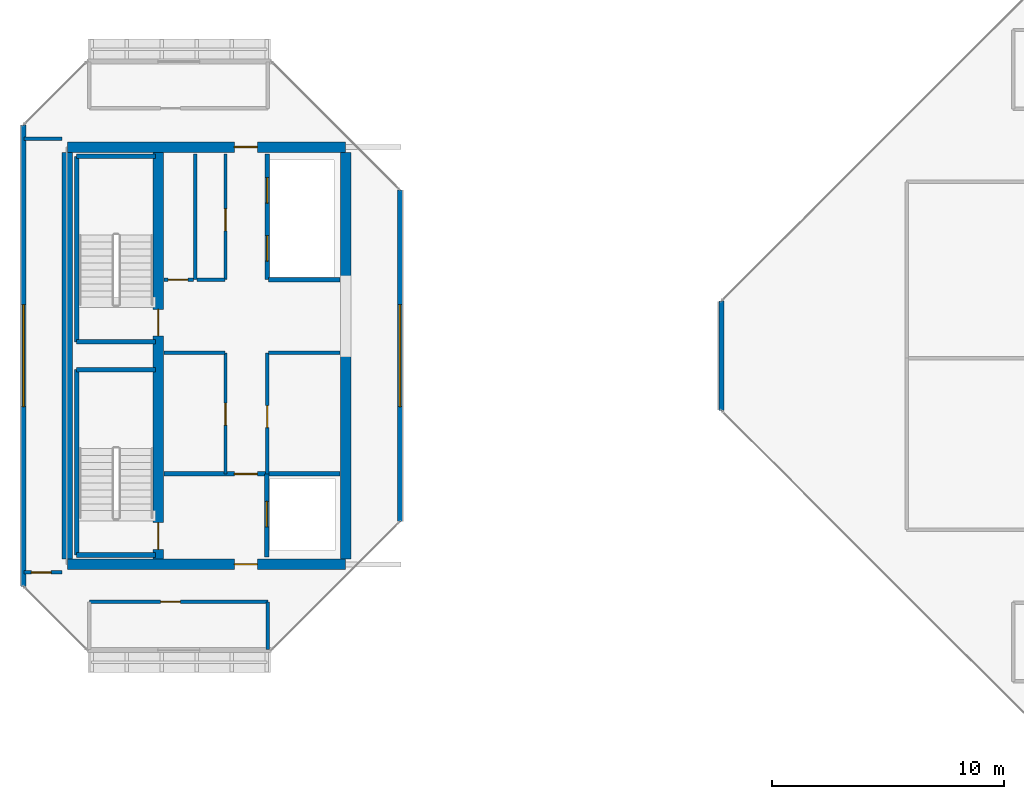
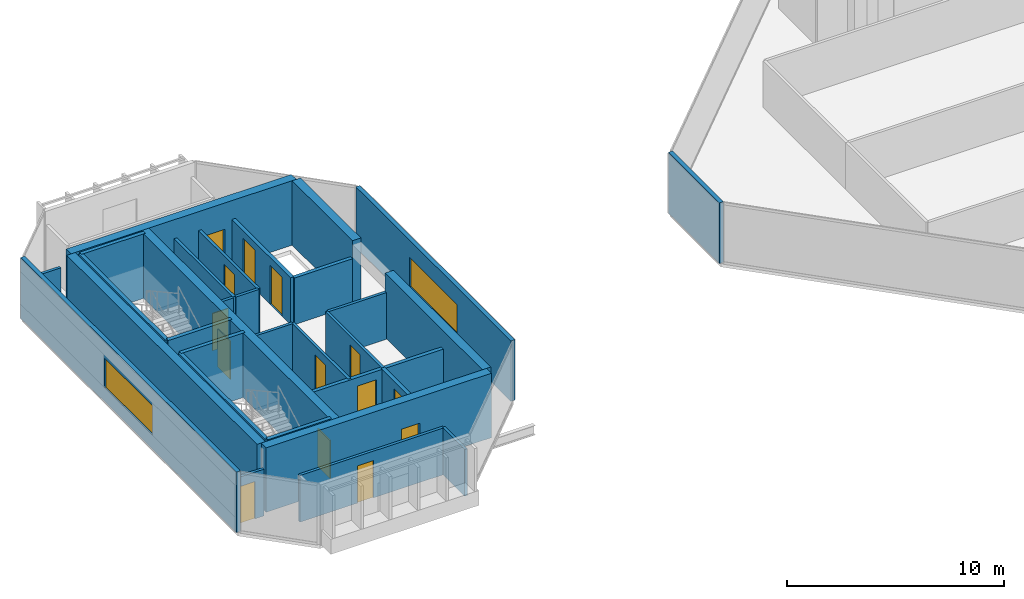
# One storey, part 21 of 28: 31 walls, 14 doors, 2 windows, 16 openings.
"""IFC4 building model written with IfcOpenShell, lengths in metres."""

from ifc_helpers import new_model, si_unit, direction, frame, frame_2d, origin, place, context, subcontext, project, spatial, rectangle, extrude, material, layer, layer_set, type_object, element, fill, save


model = new_model("IFC4")

# Units and contexts
model_context = context("Model", 3, precision=1e-05, world=origin(), true_north=direction((0.0, 1.0)))
body_context = subcontext(model_context, "Body", "Model", "MODEL_VIEW")
ifc_project = project(units=[si_unit("LENGTHUNIT", "METRE"), si_unit("AREAUNIT", "SQUARE_METRE"), si_unit("VOLUMEUNIT", "CUBIC_METRE"), si_unit("PLANEANGLEUNIT", "RADIAN"), si_unit("MASSUNIT", "GRAM", prefix="KILO")], contexts=[model_context])

# Site, building, storey
site_placement = place(None, origin())
site = spatial("IfcSite", under=ifc_project, at=site_placement, CompositionType="ELEMENT")
building_placement = place(site_placement, origin())
building = spatial("IfcBuilding", under=site, at=building_placement, Name="Tanjung Sevakor Pilgrim Tower", CompositionType="ELEMENT")
storey_placement = place(building_placement, frame((0.0, 0.0, 242.550048828125)))
storey = spatial("IfcBuildingStorey", under=building, at=storey_placement, Name="L68", CompositionType="ELEMENT", Elevation=242.550048828125)

# Wall, opening, door
ifc_material_1 = material(Name="Concrete C60/75", Category="concrete")
ifc_layer_1 = layer(ifc_material_1, 0.449951171875)
ifc_layer_set_1 = layer_set([ifc_layer_1], Name="WALL-CW-450")
wall_type_1 = type_object("IfcWallType", Name="WALL-CW-450", PredefinedType="SHEAR", material=ifc_layer_set_1)
wall_1_placement = place(storey_placement, frame((24.0, 24.60009765625, 0.0), z_axis=(0.0, 0.0, 1.0), x_axis=(1.0, 0.0, 0.0)))
wall_1 = element("IfcWall", 1, at=wall_1_placement, inside=storey, type_object=wall_type_1, Name="L68 W Core South Shear Wall", PredefinedType="SHEAR", context=body_context, shape_type="SweptSolid", body=[
    extrude(rectangle(XDim=12.0, YDim=0.449951171875, at=frame_2d((6.0, 0.0))), origin(), (0.0, 0.0, 1.0), 3.6298828125),
])
opening_1_placement = place(wall_1_placement, frame((7.199951171875, 0.0, 0.0)))
opening_1 = element("IfcOpeningElement", 2, at=opening_1_placement, cuts=wall_1, Name="Opening ID-FD1", PredefinedType="OPENING", context=body_context, shape_type="SweptSolid", body=[
    extrude(rectangle(XDim=1.0, YDim=2.14990234375, at=frame_2d((0.5, 1.074951171875))), frame((0.0, 0.23486328125, 0.0), z_axis=(0.0, -1.0, 0.0), x_axis=(1.0, 0.0, 0.0)), (0.0, 0.0, 1.0), 0.469970703125),
])
ifc_material_2 = material(Name="Fire-Rated Steel S355J2", Category="steel")
door_type_1 = type_object("IfcDoorType", Name="DT-FIRE-1000", OperationType="NOTDEFINED", PredefinedType="DOOR", material=ifc_material_2)
door_1_placement = place(opening_1_placement, origin())
door_1 = element("IfcDoor", 3, at=door_1_placement, inside=storey, type_object=door_type_1, Name="L68 West Core South Vestibule Fire Door", OperationType="SINGLE_SWING_LEFT", OverallHeight=2.14990234375, OverallWidth=1.0, PredefinedType="DOOR", context=body_context, shape_type="SweptSolid", body=[
    extrude(rectangle(XDim=1.0, YDim=2.14990234375, at=frame_2d((0.5, 1.074951171875))), frame((0.0, 0.02490234375, 0.0), z_axis=(0.0, -1.0, 0.0), x_axis=(1.0, 0.0, 0.0)), (0.0, 0.0, 1.0), 0.050048828125),
])
fill(opening_1, door_1)

wall_2_placement = place(storey_placement, frame((36.0, 42.60009765625, 0.0), z_axis=(0.0, 0.0, 1.0), x_axis=(-1.0, 0.0, 0.0)))
wall_2 = element("IfcWall", 4, at=wall_2_placement, inside=storey, type_object=wall_type_1, Name="L68 W Core North Shear Wall", PredefinedType="SHEAR", context=body_context, shape_type="SweptSolid", body=[
    extrude(rectangle(XDim=12.0, YDim=0.449951171875, at=frame_2d((6.0, 0.0))), origin(), (0.0, 0.0, 1.0), 3.6298828125),
])
opening_2_placement = place(wall_2_placement, frame((3.800048828125, 0.0, 0.0)))
opening_2 = element("IfcOpeningElement", 5, at=opening_2_placement, cuts=wall_2, Name="Opening ID-FD1", PredefinedType="OPENING", context=body_context, shape_type="SweptSolid", body=[
    extrude(rectangle(XDim=1.0, YDim=2.14990234375, at=frame_2d((0.5, 1.074951171875))), frame((0.0, 0.23486328125, 0.0), z_axis=(0.0, -1.0, 0.0), x_axis=(1.0, 0.0, 0.0)), (0.0, 0.0, 1.0), 0.469970703125),
])
door_2_placement = place(opening_2_placement, origin())
door_2 = element("IfcDoor", 6, at=door_2_placement, inside=storey, type_object=door_type_1, Name="L68 West Core North Vestibule Fire Door", OperationType="SINGLE_SWING_RIGHT", OverallHeight=2.14990234375, OverallWidth=1.0, PredefinedType="DOOR", context=body_context, shape_type="SweptSolid", body=[
    extrude(rectangle(XDim=1.0, YDim=2.14990234375, at=frame_2d((0.5, 1.074951171875))), frame((0.0, 0.02490234375, 0.0), z_axis=(0.0, -1.0, 0.0), x_axis=(1.0, 0.0, 0.0)), (0.0, 0.0, 1.0), 0.050048828125),
])
fill(opening_2, door_2)

# Walls
wall_3_placement = place(storey_placement, frame((24.0, 24.824951171875, 0.0), z_axis=(0.0, 0.0, 1.0), x_axis=(0.0, 1.0, 0.0)))
element("IfcWall", 7, at=wall_3_placement, inside=storey, type_object=wall_type_1, Name="L68 W Core Outer Shear Wall", PredefinedType="SHEAR", context=body_context, shape_type="SweptSolid", body=[
    extrude(rectangle(XDim=17.550048828125, YDim=0.449951171875, at=frame_2d((8.77490234375, 0.0))), origin(), (0.0, 0.0, 1.0), 3.6298828125),
])
wall_4_placement = place(storey_placement, frame((36.0, 24.824951171875, 0.0), z_axis=(0.0, 0.0, 1.0), x_axis=(0.0, 1.0, 0.0)))
element("IfcWall", 8, at=wall_4_placement, inside=storey, type_object=wall_type_1, Name="L68 W Core Inner Shear Wall South", PredefinedType="SHEAR", context=body_context, shape_type="SweptSolid", body=[
    extrude(rectangle(XDim=8.97509765625, YDim=0.449951171875, at=frame_2d((4.487548828125, 0.0))), origin(), (0.0, 0.0, 1.0), 3.6298828125),
])
wall_5_placement = place(storey_placement, frame((36.0, 36.800048828125, 0.0), z_axis=(0.0, 0.0, 1.0), x_axis=(0.0, 1.0, 0.0)))
element("IfcWall", 9, at=wall_5_placement, inside=storey, type_object=wall_type_1, Name="L68 W Core Inner Shear Wall North", PredefinedType="SHEAR", context=body_context, shape_type="SweptSolid", body=[
    extrude(rectangle(XDim=5.574951171875, YDim=0.449951171875, at=frame_2d((2.78759765625, 0.0))), origin(), (0.0, 0.0, 1.0), 3.6298828125),
])

# Wall, openings, doors
wall_6_placement = place(storey_placement, frame((27.925048828125, 24.824951171875, 0.0), z_axis=(0.0, 0.0, 1.0), x_axis=(0.0, 1.0, 0.0)))
wall_6 = element("IfcWall", 10, at=wall_6_placement, inside=storey, type_object=wall_type_1, Name="L68 W Core Stair Spine Wall", PredefinedType="SHEAR", context=body_context, shape_type="SweptSolid", body=[
    extrude(rectangle(XDim=17.550048828125, YDim=0.449951171875, at=frame_2d((8.77490234375, 0.0))), origin(), (0.0, 0.0, 1.0), 3.6298828125),
])
opening_3_placement = place(wall_6_placement, frame((0.425048828125, 0.0, 0.0)))
opening_3 = element("IfcOpeningElement", 11, at=opening_3_placement, cuts=wall_6, Name="Opening ID-ST1", PredefinedType="OPENING", context=body_context, shape_type="SweptSolid", body=[
    extrude(rectangle(XDim=1.14990234375, YDim=2.14990234375, at=frame_2d((0.574951171875, 1.074951171875))), frame((0.0, 0.23486328125, 0.0), z_axis=(0.0, -1.0, 0.0), x_axis=(1.0, 0.0, 0.0)), (0.0, 0.0, 1.0), 0.469970703125),
])
opening_4_placement = place(wall_6_placement, frame((9.625, 0.0, 0.0)))
opening_4 = element("IfcOpeningElement", 12, at=opening_4_placement, cuts=wall_6, Name="Opening ID-ST1", PredefinedType="OPENING", context=body_context, shape_type="SweptSolid", body=[
    extrude(rectangle(XDim=1.14990234375, YDim=2.14990234375, at=frame_2d((0.574951171875, 1.074951171875))), frame((0.0, 0.23486328125, 0.0), z_axis=(0.0, -1.0, 0.0), x_axis=(1.0, 0.0, 0.0)), (0.0, 0.0, 1.0), 0.469970703125),
])
ifc_material_3 = material(Name="Fire-Rated Steel S355J2", Category="steel")
door_type_2 = type_object("IfcDoorType", Name="DT-FIRE-1150", OperationType="NOTDEFINED", PredefinedType="DOOR", material=ifc_material_3)
door_3_placement = place(opening_3_placement, origin())
door_3 = element("IfcDoor", 13, at=door_3_placement, inside=storey, type_object=door_type_2, Name="L68 TS-W1 Stair Fire Door", OperationType="SINGLE_SWING_LEFT", OverallHeight=2.14990234375, OverallWidth=1.14990234375, PredefinedType="DOOR", context=body_context, shape_type="SweptSolid", body=[
    extrude(rectangle(XDim=1.14990234375, YDim=2.14990234375, at=frame_2d((0.574951171875, 1.074951171875))), frame((0.0, 0.02490234375, 0.0), z_axis=(0.0, -1.0, 0.0), x_axis=(1.0, 0.0, 0.0)), (0.0, 0.0, 1.0), 0.050048828125),
])
fill(opening_3, door_3)
door_4_placement = place(opening_4_placement, origin())
door_4 = element("IfcDoor", 14, at=door_4_placement, inside=storey, type_object=door_type_2, Name="L68 TS-W2 Stair Fire Door", OperationType="SINGLE_SWING_RIGHT", OverallHeight=2.14990234375, OverallWidth=1.14990234375, PredefinedType="DOOR", context=body_context, shape_type="SweptSolid", body=[
    extrude(rectangle(XDim=1.14990234375, YDim=2.14990234375, at=frame_2d((0.574951171875, 1.074951171875))), frame((0.0, 0.02490234375, 0.0), z_axis=(0.0, -1.0, 0.0), x_axis=(1.0, 0.0, 0.0)), (0.0, 0.0, 1.0), 0.050048828125),
])
fill(opening_4, door_4)

# Wall
ifc_material_4 = material(Name="Concrete C40/50", Category="concrete")
ifc_layer_2 = layer(ifc_material_4, 0.14990234375)
ifc_layer_set_2 = layer_set([ifc_layer_2], Name="WT-COMP-150")
wall_type_2 = type_object("IfcWallType", Name="WT-COMP-150", PredefinedType="SOLIDWALL", material=ifc_layer_set_2)
wall_7_placement = place(storey_placement, frame((28.169921875, 33.719970703125, 0.0), z_axis=(0.0, 0.0, 1.0), x_axis=(1.0, 0.0, 0.0)))
element("IfcWall", 15, at=wall_7_placement, inside=storey, type_object=wall_type_2, Name="L68 Partition IW-L68-003", PredefinedType="SOLIDWALL", context=body_context, shape_type="SweptSolid", body=[
    extrude(rectangle(XDim=2.630126953125, YDim=0.14990234375, at=frame_2d((1.31494140625, 0.0))), origin(), (0.0, 0.0, 1.0), 2.6298828125),
])

# Wall, opening, door
wall_8_placement = place(storey_placement, frame((30.820068359375, 28.5, 0.0), z_axis=(0.0, 0.0, 1.0), x_axis=(0.0, 1.0, 0.0)))
wall_8 = element("IfcWall", 16, at=wall_8_placement, inside=storey, type_object=wall_type_2, Name="L68 Partition IW-L68-004", PredefinedType="SOLIDWALL", context=body_context, shape_type="SweptSolid", body=[
    extrude(rectangle(XDim=5.219970703125, YDim=0.14990234375, at=frame_2d((2.60986328125, 0.0))), origin(), (0.0, 0.0, 1.0), 2.6298828125),
])
opening_5_placement = place(wall_8_placement, frame((2.10009765625, 0.0, 0.0)))
opening_5 = element("IfcOpeningElement", 17, at=opening_5_placement, cuts=wall_8, Name="Opening ID-FD2", PredefinedType="OPENING", context=body_context, shape_type="SweptSolid", body=[
    extrude(rectangle(XDim=0.949951171875, YDim=2.14990234375, at=frame_2d((0.47509765625, 1.074951171875))), frame((0.0, 0.0849609375, 0.0), z_axis=(0.0, -1.0, 0.0), x_axis=(1.0, 0.0, 0.0)), (0.0, 0.0, 1.0), 0.169921875),
])
ifc_material_5 = material(Name="Fire-Rated Timber", Category="wood")
door_type_3 = type_object("IfcDoorType", Name="DT-FIRE-950", OperationType="NOTDEFINED", PredefinedType="DOOR", material=ifc_material_5)
door_5_placement = place(opening_5_placement, origin())
door_5 = element("IfcDoor", 18, at=door_5_placement, inside=storey, type_object=door_type_3, Name="L68 Housekeeping Pantry Door", OperationType="SINGLE_SWING_RIGHT", OverallHeight=2.14990234375, OverallWidth=0.949951171875, PredefinedType="DOOR", context=body_context, shape_type="SweptSolid", body=[
    extrude(rectangle(XDim=0.949951171875, YDim=2.14990234375, at=frame_2d((0.47509765625, 1.074951171875))), frame((0.0, 0.02490234375, 0.0), z_axis=(0.0, -1.0, 0.0), x_axis=(1.0, 0.0, 0.0)), (0.0, 0.0, 1.0), 0.050048828125),
])
fill(opening_5, door_5)

# Wall
wall_9_placement = place(storey_placement, frame((32.679931640625, 33.719970703125, 0.0), z_axis=(0.0, 0.0, 1.0), x_axis=(1.0, 0.0, 0.0)))
element("IfcWall", 19, at=wall_9_placement, inside=storey, type_object=wall_type_2, Name="L68 Partition IW-L68-005", PredefinedType="SOLIDWALL", context=body_context, shape_type="SweptSolid", body=[
    extrude(rectangle(XDim=3.074951171875, YDim=0.14990234375, at=frame_2d((1.53759765625, 0.0))), origin(), (0.0, 0.0, 1.0), 2.6298828125),
])

# Wall, opening, door
wall_10_placement = place(storey_placement, frame((32.6201171875, 28.5, 0.0), z_axis=(0.0, 0.0, 1.0), x_axis=(0.0, 1.0, 0.0)))
wall_10 = element("IfcWall", 20, at=wall_10_placement, inside=storey, type_object=wall_type_2, Name="L68 Partition IW-L68-006", PredefinedType="SOLIDWALL", context=body_context, shape_type="SweptSolid", body=[
    extrude(rectangle(XDim=5.219970703125, YDim=0.14990234375, at=frame_2d((2.60986328125, 0.0))), origin(), (0.0, 0.0, 1.0), 2.6298828125),
])
opening_6_placement = place(wall_10_placement, frame((2.0, 0.0, 0.0)))
opening_6 = element("IfcOpeningElement", 21, at=opening_6_placement, cuts=wall_10, Name="Opening ID-FD2", PredefinedType="OPENING", context=body_context, shape_type="SweptSolid", body=[
    extrude(rectangle(XDim=0.949951171875, YDim=2.14990234375, at=frame_2d((0.47509765625, 1.074951171875))), frame((0.0, 0.0849609375, 0.0), z_axis=(0.0, -1.0, 0.0), x_axis=(1.0, 0.0, 0.0)), (0.0, 0.0, 1.0), 0.169921875),
])
door_6_placement = place(opening_6_placement, origin())
door_6 = element("IfcDoor", 22, at=door_6_placement, inside=storey, type_object=door_type_3, Name="L68 Accessible WC Door", OperationType="SINGLE_SWING_LEFT", OverallHeight=2.14990234375, OverallWidth=0.949951171875, PredefinedType="DOOR", context=body_context, shape_type="SweptSolid", body=[
    extrude(rectangle(XDim=0.949951171875, YDim=2.14990234375, at=frame_2d((0.47509765625, 1.074951171875))), frame((0.0, 0.02490234375, 0.0), z_axis=(0.0, -1.0, 0.0), x_axis=(1.0, 0.0, 0.0)), (0.0, 0.0, 1.0), 0.050048828125),
])
fill(opening_6, door_6)

# Wall
wall_11_placement = place(storey_placement, frame((29.52001953125, 36.8798828125, 0.0), z_axis=(0.0, 0.0, 1.0), x_axis=(0.0, 1.0, 0.0)))
element("IfcWall", 23, at=wall_11_placement, inside=storey, type_object=wall_type_2, Name="L68 Partition IW-L68-007", PredefinedType="SOLIDWALL", context=body_context, shape_type="SweptSolid", body=[
    extrude(rectangle(XDim=5.420166015625, YDim=0.14990234375, at=frame_2d((2.7099609375, 0.0))), origin(), (0.0, 0.0, 1.0), 2.6298828125),
])

# Wall, opening, door
wall_12_placement = place(storey_placement, frame((28.169921875, 36.8798828125, 0.0), z_axis=(0.0, 0.0, 1.0), x_axis=(1.0, 0.0, 0.0)))
wall_12 = element("IfcWall", 24, at=wall_12_placement, inside=storey, type_object=wall_type_2, Name="L68 Partition IW-L68-008", PredefinedType="SOLIDWALL", context=body_context, shape_type="SweptSolid", body=[
    extrude(rectangle(XDim=1.280029296875, YDim=0.14990234375, at=frame_2d((0.64013671875, 0.0))), origin(), (0.0, 0.0, 1.0), 2.6298828125),
])
opening_7_placement = place(wall_12_placement, frame((0.179931640625, 0.0, 0.0)))
opening_7 = element("IfcOpeningElement", 25, at=opening_7_placement, cuts=wall_12, Name="Opening ID-FD3", PredefinedType="OPENING", context=body_context, shape_type="SweptSolid", body=[
    extrude(rectangle(XDim=0.85009765625, YDim=2.10009765625, at=frame_2d((0.425048828125, 1.050048828125))), frame((0.0, 0.0849609375, 0.0), z_axis=(0.0, -1.0, 0.0), x_axis=(1.0, 0.0, 0.0)), (0.0, 0.0, 1.0), 0.169921875),
])
ifc_material_6 = material(Name="Fire-Rated Timber", Category="wood")
door_type_4 = type_object("IfcDoorType", Name="DT-FIRE-850", OperationType="NOTDEFINED", PredefinedType="DOOR", material=ifc_material_6)
door_7_placement = place(opening_7_placement, origin())
door_7 = element("IfcDoor", 26, at=door_7_placement, inside=storey, type_object=door_type_4, Name="L68 Service Store Door", OperationType="SINGLE_SWING_RIGHT", OverallHeight=2.10009765625, OverallWidth=0.85009765625, PredefinedType="DOOR", context=body_context, shape_type="SweptSolid", body=[
    extrude(rectangle(XDim=0.85009765625, YDim=2.10009765625, at=frame_2d((0.425048828125, 1.050048828125))), frame((0.0, 0.02490234375, 0.0), z_axis=(0.0, -1.0, 0.0), x_axis=(1.0, 0.0, 0.0)), (0.0, 0.0, 1.0), 0.050048828125),
])
fill(opening_7, door_7)

# Wall
wall_13_placement = place(storey_placement, frame((29.580078125, 36.8798828125, 0.0), z_axis=(0.0, 0.0, 1.0), x_axis=(1.0, 0.0, 0.0)))
element("IfcWall", 27, at=wall_13_placement, inside=storey, type_object=wall_type_2, Name="L68 Partition IW-L68-009", PredefinedType="SOLIDWALL", context=body_context, shape_type="SweptSolid", body=[
    extrude(rectangle(XDim=1.219970703125, YDim=0.14990234375, at=frame_2d((0.60986328125, 0.0))), origin(), (0.0, 0.0, 1.0), 2.6298828125),
])

# Wall, opening, door
wall_14_placement = place(storey_placement, frame((30.820068359375, 36.8798828125, 0.0), z_axis=(0.0, 0.0, 1.0), x_axis=(0.0, 1.0, 0.0)))
wall_14 = element("IfcWall", 28, at=wall_14_placement, inside=storey, type_object=wall_type_2, Name="L68 Partition IW-L68-010", PredefinedType="SOLIDWALL", context=body_context, shape_type="SweptSolid", body=[
    extrude(rectangle(XDim=5.420166015625, YDim=0.14990234375, at=frame_2d((2.7099609375, 0.0))), origin(), (0.0, 0.0, 1.0), 2.6298828125),
])
opening_8_placement = place(wall_14_placement, frame((2.10009765625, 0.0, 0.0)))
opening_8 = element("IfcOpeningElement", 29, at=opening_8_placement, cuts=wall_14, Name="Opening ID-FD2", PredefinedType="OPENING", context=body_context, shape_type="SweptSolid", body=[
    extrude(rectangle(XDim=0.949951171875, YDim=2.14990234375, at=frame_2d((0.47509765625, 1.074951171875))), frame((0.0, 0.0849609375, 0.0), z_axis=(0.0, -1.0, 0.0), x_axis=(1.0, 0.0, 0.0)), (0.0, 0.0, 1.0), 0.169921875),
])
door_8_placement = place(opening_8_placement, origin())
door_8 = element("IfcDoor", 30, at=door_8_placement, inside=storey, type_object=door_type_3, Name="L68 Core Reading Room Door", OperationType="SINGLE_SWING_LEFT", OverallHeight=2.14990234375, OverallWidth=0.949951171875, PredefinedType="DOOR", context=body_context, shape_type="SweptSolid", body=[
    extrude(rectangle(XDim=0.949951171875, YDim=2.14990234375, at=frame_2d((0.47509765625, 1.074951171875))), frame((0.0, 0.02490234375, 0.0), z_axis=(0.0, -1.0, 0.0), x_axis=(1.0, 0.0, 0.0)), (0.0, 0.0, 1.0), 0.050048828125),
])
fill(opening_8, door_8)

wall_15_placement = place(storey_placement, frame((24.949951171875, 22.97998046875, 0.0), z_axis=(0.0, 0.0, 1.0), x_axis=(1.0, 0.0, 0.0)))
wall_15 = element("IfcWall", 31, at=wall_15_placement, inside=storey, type_object=wall_type_2, Name="L68 Partition IW-L68-025", PredefinedType="SOLIDWALL", context=body_context, shape_type="SweptSolid", body=[
    extrude(rectangle(XDim=7.699951171875, YDim=0.14990234375, at=frame_2d((3.85009765625, 0.0))), origin(), (0.0, 0.0, 1.0), 2.6298828125),
])
opening_9_placement = place(wall_15_placement, frame((3.074951171875, 0.0, 0.0)))
opening_9 = element("IfcOpeningElement", 32, at=opening_9_placement, cuts=wall_15, Name="Opening ID-WC1", PredefinedType="OPENING", context=body_context, shape_type="SweptSolid", body=[
    extrude(rectangle(XDim=0.85009765625, YDim=2.10009765625, at=frame_2d((0.425048828125, 1.050048828125))), frame((0.0, 0.0849609375, 0.0), z_axis=(0.0, -1.0, 0.0), x_axis=(1.0, 0.0, 0.0)), (0.0, 0.0, 1.0), 0.169921875),
])
ifc_material_7 = material(Name="Moisture-Resistant Timber", Category="wood")
door_type_5 = type_object("IfcDoorType", Name="DT-INT-850", OperationType="NOTDEFINED", PredefinedType="DOOR", material=ifc_material_7)
door_9_placement = place(opening_9_placement, origin())
door_9 = element("IfcDoor", 33, at=door_9_placement, inside=storey, type_object=door_type_5, Name="L68 West Peak Meditation Door", OperationType="SINGLE_SWING_RIGHT", OverallHeight=2.10009765625, OverallWidth=0.85009765625, PredefinedType="DOOR", context=body_context, shape_type="SweptSolid", body=[
    extrude(rectangle(XDim=0.85009765625, YDim=2.10009765625, at=frame_2d((0.425048828125, 1.050048828125))), frame((0.0, 0.02490234375, 0.0), z_axis=(0.0, -1.0, 0.0), x_axis=(1.0, 0.0, 0.0)), (0.0, 0.0, 1.0), 0.050048828125),
])
fill(opening_9, door_9)

# Wall
wall_16_placement = place(storey_placement, frame((32.64990234375, 20.919921875, 0.0), z_axis=(0.0, 0.0, 1.0), x_axis=(0.0, 1.0, 0.0)))
element("IfcWall", 34, at=wall_16_placement, inside=storey, type_object=wall_type_2, Name="L68 Partition IW-L68-027", PredefinedType="SOLIDWALL", context=body_context, shape_type="SweptSolid", body=[
    extrude(rectangle(XDim=2.06005859375, YDim=0.14990234375, at=frame_2d((1.030029296875, 0.0))), origin(), (0.0, 0.0, 1.0), 2.6298828125),
])

# Wall, opening, door
wall_17_placement = place(storey_placement, frame((22.1201171875, 24.25, 0.0), z_axis=(0.0, 0.0, 1.0), x_axis=(1.0, 0.0, 0.0)))
wall_17 = element("IfcWall", 35, at=wall_17_placement, inside=storey, type_object=wall_type_2, Name="L68 Partition IW-L68-028", PredefinedType="SOLIDWALL", context=body_context, shape_type="SweptSolid", body=[
    extrude(rectangle(XDim=1.639892578125, YDim=0.14990234375, at=frame_2d((0.81982421875, 0.0))), origin(), (0.0, 0.0, 1.0), 2.6298828125),
])
opening_10_placement = place(wall_17_placement, frame((0.324951171875, 0.0, 0.0)))
opening_10 = element("IfcOpeningElement", 36, at=opening_10_placement, cuts=wall_17, Name="Opening ID-WC1", PredefinedType="OPENING", context=body_context, shape_type="SweptSolid", body=[
    extrude(rectangle(XDim=0.85009765625, YDim=2.10009765625, at=frame_2d((0.425048828125, 1.050048828125))), frame((0.0, 0.0849609375, 0.0), z_axis=(0.0, -1.0, 0.0), x_axis=(1.0, 0.0, 0.0)), (0.0, 0.0, 1.0), 0.169921875),
])
door_10_placement = place(opening_10_placement, origin())
door_10 = element("IfcDoor", 37, at=door_10_placement, inside=storey, type_object=door_type_5, Name="L68 West Peak Sky Lounge Door", OperationType="SINGLE_SWING_LEFT", OverallHeight=2.10009765625, OverallWidth=0.85009765625, PredefinedType="DOOR", context=body_context, shape_type="SweptSolid", body=[
    extrude(rectangle(XDim=0.85009765625, YDim=2.10009765625, at=frame_2d((0.425048828125, 1.050048828125))), frame((0.0, 0.02490234375, 0.0), z_axis=(0.0, -1.0, 0.0), x_axis=(1.0, 0.0, 0.0)), (0.0, 0.0, 1.0), 0.050048828125),
])
fill(opening_10, door_10)

# Wall
wall_18_placement = place(storey_placement, frame((22.1201171875, 42.949951171875, 0.0), z_axis=(0.0, 0.0, 1.0), x_axis=(1.0, 0.0, 0.0)))
element("IfcWall", 38, at=wall_18_placement, inside=storey, type_object=wall_type_2, Name="L68 Partition IW-L68-029", PredefinedType="SOLIDWALL", context=body_context, shape_type="SweptSolid", body=[
    extrude(rectangle(XDim=1.639892578125, YDim=0.14990234375, at=frame_2d((0.81982421875, 0.0))), origin(), (0.0, 0.0, 1.0), 2.6298828125),
])

# Wall, opening, window
ifc_material_8 = material(Name="Precast concrete C45/55", Category="concrete")
ifc_layer_3 = layer(ifc_material_8, 0.219970703125)
ifc_layer_set_3 = layer_set([ifc_layer_3], Name="WT-EW-STN4")
wall_type_3 = type_object("IfcWallType", Name="WT-EW-STN4", PredefinedType="SOLIDWALL", material=ifc_layer_set_3)
wall_19_placement = place(storey_placement, frame((38.340087890625, 26.445556640625, 0.0), z_axis=(0.0, 0.0, 1.0), x_axis=(0.0, 1.0, 0.0)))
wall_19 = element("IfcWall", 39, at=wall_19_placement, inside=storey, type_object=wall_type_3, Name="L68 WEST Exterior Wall 3", PredefinedType="SOLIDWALL", context=body_context, shape_type="SweptSolid", body=[
    extrude(rectangle(XDim=14.308837890625, YDim=0.219970703125, at=frame_2d((7.154296875, 0.0))), origin(), (0.0, 0.0, 1.0), 3.409912109375),
])
opening_11_placement = place(wall_19_placement, frame((4.954345703125, 0.0, 0.780029296875)))
opening_11 = element("IfcOpeningElement", 40, at=opening_11_placement, cuts=wall_19, Name="Opening WN-ENDW-1660", PredefinedType="OPENING", context=body_context, shape_type="SweptSolid", body=[
    extrude(rectangle(XDim=4.39990234375, YDim=1.659912109375, at=frame_2d((2.199951171875, 0.830078125))), frame((0.0, 0.119873046875, 0.0), z_axis=(0.0, -1.0, 0.0), x_axis=(1.0, 0.0, 0.0)), (0.0, 0.0, 1.0), 0.239990234375),
])
ifc_material_9 = material(Name="Thermally Broken Aluminium and Low-E Glass", Category="aluminium")
window_type = type_object("IfcWindowType", Name="WTYP-WN-ENDW-1660", PartitioningType="DOUBLE_PANEL_VERTICAL", PredefinedType="WINDOW", material=ifc_material_9)
window_1_placement = place(opening_11_placement, origin())
window_1 = element("IfcWindow", 41, at=window_1_placement, inside=storey, type_object=window_type, Name="L68 Facade Window 01", OverallHeight=1.659912109375, OverallWidth=4.39990234375, PartitioningType="SINGLE_PANEL", PredefinedType="WINDOW", context=body_context, shape_type="SweptSolid", body=[
    extrude(rectangle(XDim=4.39990234375, YDim=1.659912109375, at=frame_2d((2.199951171875, 0.830078125))), frame((0.0, 0.030029296875, 0.0), z_axis=(0.0, -1.0, 0.0), x_axis=(1.0, 0.0, 0.0)), (0.0, 0.0, 1.0), 0.06005859375),
])
fill(opening_11, window_1)

wall_20_placement = place(storey_placement, frame((22.110107421875, 43.554443359375, 0.0), z_axis=(0.0, 0.0, 1.0), x_axis=(0.0, -1.0, 0.0)))
wall_20 = element("IfcWall", 42, at=wall_20_placement, inside=storey, type_object=wall_type_3, Name="L68 WEST Exterior Wall 7", PredefinedType="SOLIDWALL", context=body_context, shape_type="SweptSolid", body=[
    extrude(rectangle(XDim=19.908935546875, YDim=0.219970703125, at=frame_2d((9.95458984375, 0.0))), origin(), (0.0, 0.0, 1.0), 3.409912109375),
])
opening_12_placement = place(wall_20_placement, frame((7.75439453125, 0.0, 0.780029296875)))
opening_12 = element("IfcOpeningElement", 43, at=opening_12_placement, cuts=wall_20, Name="Opening WN-ENDW-1660", PredefinedType="OPENING", context=body_context, shape_type="SweptSolid", body=[
    extrude(rectangle(XDim=4.39990234375, YDim=1.659912109375, at=frame_2d((2.199951171875, 0.830078125))), frame((0.0, 0.119873046875, 0.0), z_axis=(0.0, -1.0, 0.0), x_axis=(1.0, 0.0, 0.0)), (0.0, 0.0, 1.0), 0.239990234375),
])
window_2_placement = place(opening_12_placement, origin())
window_2 = element("IfcWindow", 44, at=window_2_placement, inside=storey, type_object=window_type, Name="L68 Facade Window 01", OverallHeight=1.659912109375, OverallWidth=4.39990234375, PartitioningType="SINGLE_PANEL", PredefinedType="WINDOW", context=body_context, shape_type="SweptSolid", body=[
    extrude(rectangle(XDim=4.39990234375, YDim=1.659912109375, at=frame_2d((2.199951171875, 0.830078125))), frame((0.0, 0.030029296875, 0.0), z_axis=(0.0, -1.0, 0.0), x_axis=(1.0, 0.0, 0.0)), (0.0, 0.0, 1.0), 0.06005859375),
])
fill(opening_12, window_2)

# Walls
wall_21_placement = place(storey_placement, frame((52.2099609375, 35.954345703125, 0.0), z_axis=(0.0, 0.0, 1.0), x_axis=(0.0, -1.0, 0.0)))
element("IfcWall", 45, at=wall_21_placement, inside=storey, type_object=wall_type_3, Name="L68 EAST Exterior Wall 7", PredefinedType="SOLIDWALL", context=body_context, shape_type="SweptSolid", body=[
    extrude(rectangle(XDim=4.708740234375, YDim=0.219970703125, at=frame_2d((2.3544921875, 0.0))), origin(), (0.0, 0.0, 1.0), 3.409912109375),
])
ifc_material_10 = material(Name="Concrete C40/50", Category="concrete")
ifc_layer_4 = layer(ifc_material_10, 0.199951171875)
ifc_layer_set_4 = layer_set([ifc_layer_4], Name="WT-FIRE-200")
wall_type_4 = type_object("IfcWallType", Name="WT-FIRE-200", PredefinedType="SOLIDWALL", material=ifc_layer_set_4)
for number, where, z_axis, x_axis, name in (
    (46, (24.39990234375, 25.0, 0.0), (0.0, 0.0, 1.0), (1.0, 0.0, 0.0), "L68 TS-W1 Shaft Wall 1"),
    (47, (27.800048828125, 33.0, 0.0), (0.0, 0.0, 1.0), (-1.0, 0.0, 0.0), "L68 TS-W1 Shaft Wall 2"),
):
    element("IfcWall", number, at=place(storey_placement, frame(where, z_axis=z_axis, x_axis=x_axis)), inside=storey, type_object=wall_type_4, Name=name, PredefinedType="SOLIDWALL", context=body_context, shape_type="SweptSolid", body=[
        extrude(rectangle(XDim=3.400146484375, YDim=0.199951171875, at=frame_2d((1.7001953125, 0.0))), origin(), (0.0, 0.0, 1.0), 3.6298828125),
    ])
wall_22_placement = place(storey_placement, frame((24.39990234375, 33.0, 0.0), z_axis=(0.0, 0.0, 1.0), x_axis=(0.0, -1.0, 0.0)))
element("IfcWall", 48, at=wall_22_placement, inside=storey, type_object=wall_type_4, Name="L68 TS-W1 Shaft Wall 3", PredefinedType="SOLIDWALL", context=body_context, shape_type="SweptSolid", body=[
    extrude(rectangle(XDim=8.0, YDim=0.199951171875, at=frame_2d((4.0, 0.0))), origin(), (0.0, 0.0, 1.0), 3.6298828125),
])
for number, where, z_axis, x_axis, name in (
    (49, (24.39990234375, 34.199951171875, 0.0), (0.0, 0.0, 1.0), (1.0, 0.0, 0.0), "L68 TS-W2 Shaft Wall 1"),
    (50, (27.800048828125, 42.199951171875, 0.0), (0.0, 0.0, 1.0), (-1.0, 0.0, 0.0), "L68 TS-W2 Shaft Wall 2"),
):
    element("IfcWall", number, at=place(storey_placement, frame(where, z_axis=z_axis, x_axis=x_axis)), inside=storey, type_object=wall_type_4, Name=name, PredefinedType="SOLIDWALL", context=body_context, shape_type="SweptSolid", body=[
        extrude(rectangle(XDim=3.400146484375, YDim=0.199951171875, at=frame_2d((1.7001953125, 0.0))), origin(), (0.0, 0.0, 1.0), 3.6298828125),
    ])
wall_23_placement = place(storey_placement, frame((24.39990234375, 42.199951171875, 0.0), z_axis=(0.0, 0.0, 1.0), x_axis=(0.0, -1.0, 0.0)))
element("IfcWall", 51, at=wall_23_placement, inside=storey, type_object=wall_type_4, Name="L68 TS-W2 Shaft Wall 3", PredefinedType="SOLIDWALL", context=body_context, shape_type="SweptSolid", body=[
    extrude(rectangle(XDim=8.0, YDim=0.199951171875, at=frame_2d((4.0, 0.0))), origin(), (0.0, 0.0, 1.0), 3.6298828125),
])

# Wall, opening, door
ifc_material_11 = material(Name="Concrete C40/50", Category="concrete")
ifc_layer_5 = layer(ifc_material_11, 0.199951171875)
ifc_layer_set_5 = layer_set([ifc_layer_5], Name="WT-FPRT-200")
wall_type_5 = type_object("IfcWallType", Name="WT-FPRT-200", PredefinedType="SOLIDWALL", material=ifc_layer_set_5)
wall_24_placement = place(storey_placement, frame((32.60009765625, 24.919921875, 0.0), z_axis=(0.0, 0.0, 1.0), x_axis=(0.0, 1.0, 0.0)))
wall_24 = element("IfcWall", 52, at=wall_24_placement, inside=storey, type_object=wall_type_5, Name="L68 Partition IW-L68-001", PredefinedType="SOLIDWALL", context=body_context, shape_type="SweptSolid", body=[
    extrude(rectangle(XDim=3.580078125, YDim=0.199951171875, at=frame_2d((1.7900390625, 0.0))), origin(), (0.0, 0.0, 1.0), 2.6298828125),
])
opening_13_placement = place(wall_24_placement, frame((1.300048828125, 0.0, 0.0)))
opening_13 = element("IfcOpeningElement", 53, at=opening_13_placement, cuts=wall_24, Name="Opening LD-1100", PredefinedType="OPENING", context=body_context, shape_type="SweptSolid", body=[
    extrude(rectangle(XDim=1.10009765625, YDim=2.199951171875, at=frame_2d((0.550048828125, 1.10009765625))), frame((0.0, 0.10986328125, 0.0), z_axis=(0.0, -1.0, 0.0), x_axis=(1.0, 0.0, 0.0)), (0.0, 0.0, 1.0), 0.219970703125),
])
ifc_material_12 = material(Name="Brushed Stainless Steel S355J2", Category="steel")
door_type_6 = type_object("IfcDoorType", Name="DT-LIFT-1100", OperationType="SLIDING_TO_LEFT", PredefinedType="DOOR", material=ifc_material_12)
door_11_placement = place(opening_13_placement, origin())
door_11 = element("IfcDoor", 54, at=door_11_placement, inside=storey, type_object=door_type_6, Name="LD-FL-W", OperationType="SLIDING_TO_LEFT", OverallHeight=2.199951171875, OverallWidth=1.10009765625, PredefinedType="DOOR", context=body_context, shape_type="SweptSolid", body=[
    extrude(rectangle(XDim=1.10009765625, YDim=2.199951171875, at=frame_2d((0.550048828125, 1.10009765625))), frame((0.0, 0.02490234375, 0.0), z_axis=(0.0, -1.0, 0.0), x_axis=(1.0, 0.0, 0.0)), (0.0, 0.0, 1.0), 0.050048828125),
])
fill(opening_13, door_11)

wall_25_placement = place(storey_placement, frame((28.169921875, 28.5, 0.0), z_axis=(0.0, 0.0, 1.0), x_axis=(1.0, 0.0, 0.0)))
wall_25 = element("IfcWall", 55, at=wall_25_placement, inside=storey, type_object=wall_type_5, Name="L68 Partition IW-L68-002", PredefinedType="SOLIDWALL", context=body_context, shape_type="SweptSolid", body=[
    extrude(rectangle(XDim=7.5849609375, YDim=0.199951171875, at=frame_2d((3.79248046875, 0.0))), origin(), (0.0, 0.0, 1.0), 2.6298828125),
])
opening_14_placement = place(wall_25_placement, frame((3.030029296875, 0.0, 0.0)))
opening_14 = element("IfcOpeningElement", 56, at=opening_14_placement, cuts=wall_25, Name="Opening ID-FD1", PredefinedType="OPENING", context=body_context, shape_type="SweptSolid", body=[
    extrude(rectangle(XDim=1.0, YDim=2.14990234375, at=frame_2d((0.5, 1.074951171875))), frame((0.0, 0.10986328125, 0.0), z_axis=(0.0, -1.0, 0.0), x_axis=(1.0, 0.0, 0.0)), (0.0, 0.0, 1.0), 0.219970703125),
])
door_12_placement = place(opening_14_placement, origin())
door_12 = element("IfcDoor", 57, at=door_12_placement, inside=storey, type_object=door_type_1, Name="Fire Lobby Door W", OperationType="SINGLE_SWING_LEFT", OverallHeight=2.14990234375, OverallWidth=1.0, PredefinedType="DOOR", context=body_context, shape_type="SweptSolid", body=[
    extrude(rectangle(XDim=1.0, YDim=2.14990234375, at=frame_2d((0.5, 1.074951171875))), frame((0.0, 0.02490234375, 0.0), z_axis=(0.0, -1.0, 0.0), x_axis=(1.0, 0.0, 0.0)), (0.0, 0.0, 1.0), 0.050048828125),
])
fill(opening_14, door_12)

# Wall
wall_26_placement = place(storey_placement, frame((32.679931640625, 36.8798828125, 0.0), z_axis=(0.0, 0.0, 1.0), x_axis=(1.0, 0.0, 0.0)))
element("IfcWall", 58, at=wall_26_placement, inside=storey, type_object=wall_type_5, Name="L68 Partition IW-L68-011", PredefinedType="SOLIDWALL", context=body_context, shape_type="SweptSolid", body=[
    extrude(rectangle(XDim=3.074951171875, YDim=0.199951171875, at=frame_2d((1.53759765625, 0.0))), origin(), (0.0, 0.0, 1.0), 2.6298828125),
])

# Wall, openings, doors
wall_27_placement = place(storey_placement, frame((32.6201171875, 36.8798828125, 0.0), z_axis=(0.0, 0.0, 1.0), x_axis=(0.0, 1.0, 0.0)))
wall_27 = element("IfcWall", 59, at=wall_27_placement, inside=storey, type_object=wall_type_5, Name="L68 Partition IW-L68-012", PredefinedType="SOLIDWALL", context=body_context, shape_type="SweptSolid", body=[
    extrude(rectangle(XDim=5.420166015625, YDim=0.199951171875, at=frame_2d((2.7099609375, 0.0))), origin(), (0.0, 0.0, 1.0), 2.6298828125),
])
opening_15_placement = place(wall_27_placement, frame((0.800048828125, 0.0, 0.0)))
opening_15 = element("IfcOpeningElement", 60, at=opening_15_placement, cuts=wall_27, Name="Opening LD-1100", PredefinedType="OPENING", context=body_context, shape_type="SweptSolid", body=[
    extrude(rectangle(XDim=1.10009765625, YDim=2.199951171875, at=frame_2d((0.550048828125, 1.10009765625))), frame((0.0, 0.10986328125, 0.0), z_axis=(0.0, -1.0, 0.0), x_axis=(1.0, 0.0, 0.0)), (0.0, 0.0, 1.0), 0.219970703125),
])
opening_16_placement = place(wall_27_placement, frame((3.300048828125, 0.0, 0.0)))
opening_16 = element("IfcOpeningElement", 61, at=opening_16_placement, cuts=wall_27, Name="Opening LD-1100", PredefinedType="OPENING", context=body_context, shape_type="SweptSolid", body=[
    extrude(rectangle(XDim=1.10009765625, YDim=2.199951171875, at=frame_2d((0.550048828125, 1.10009765625))), frame((0.0, 0.10986328125, 0.0), z_axis=(0.0, -1.0, 0.0), x_axis=(1.0, 0.0, 0.0)), (0.0, 0.0, 1.0), 0.219970703125),
])
door_13_placement = place(opening_15_placement, origin())
door_13 = element("IfcDoor", 62, at=door_13_placement, inside=storey, type_object=door_type_6, Name="LD-PLH1-W", OperationType="SLIDING_TO_LEFT", OverallHeight=2.199951171875, OverallWidth=1.10009765625, PredefinedType="DOOR", context=body_context, shape_type="SweptSolid", body=[
    extrude(rectangle(XDim=1.10009765625, YDim=2.199951171875, at=frame_2d((0.550048828125, 1.10009765625))), frame((0.0, 0.02490234375, 0.0), z_axis=(0.0, -1.0, 0.0), x_axis=(1.0, 0.0, 0.0)), (0.0, 0.0, 1.0), 0.050048828125),
])
fill(opening_15, door_13)
door_14_placement = place(opening_16_placement, origin())
door_14 = element("IfcDoor", 63, at=door_14_placement, inside=storey, type_object=door_type_6, Name="LD-PLH2-W", OperationType="SLIDING_TO_RIGHT", OverallHeight=2.199951171875, OverallWidth=1.10009765625, PredefinedType="DOOR", context=body_context, shape_type="SweptSolid", body=[
    extrude(rectangle(XDim=1.10009765625, YDim=2.199951171875, at=frame_2d((0.550048828125, 1.10009765625))), frame((0.0, 0.02490234375, 0.0), z_axis=(0.0, -1.0, 0.0), x_axis=(1.0, 0.0, 0.0)), (0.0, 0.0, 1.0), 0.050048828125),
])
fill(opening_16, door_14)

save(model, "model.ifc")
